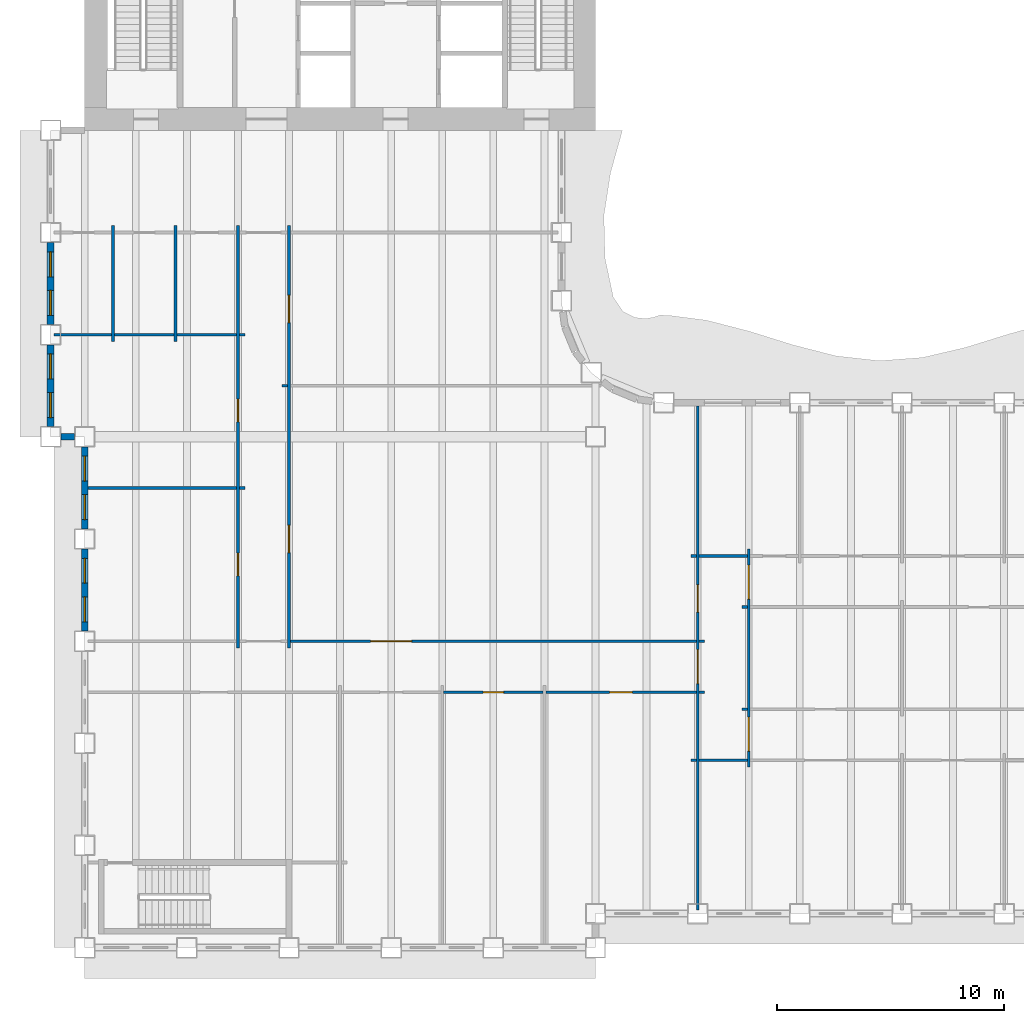
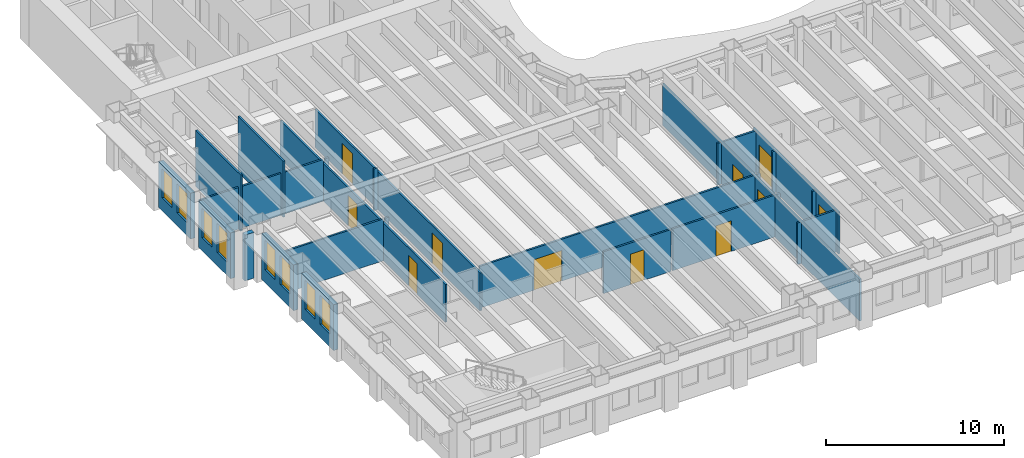
# One storey, part 4 of 16: 29 walls, 11 doors, 8 windows, 19 openings.
"""IFC4 building model written with IfcOpenShell, lengths in metres."""

from ifc_helpers import new_model, si_unit, direction, frame, frame_2d, origin, place, context, subcontext, project, spatial, rectangle, extrude, material, layer, layer_set, type_object, element, fill, save


model = new_model("IFC4")

# Units and contexts
model_context = context("Model", 3, precision=1e-05, world=origin(), true_north=direction((0.0, 1.0)))
body_context = subcontext(model_context, "Body", "Model", "MODEL_VIEW")
ifc_project = project(units=[si_unit("LENGTHUNIT", "METRE"), si_unit("AREAUNIT", "SQUARE_METRE"), si_unit("VOLUMEUNIT", "CUBIC_METRE"), si_unit("PLANEANGLEUNIT", "RADIAN"), si_unit("MASSUNIT", "GRAM", prefix="KILO")], contexts=[model_context])

# Site, building, storey
site_placement = place(None, origin())
site = spatial("IfcSite", under=ifc_project, at=site_placement, CompositionType="ELEMENT")
building_placement = place(site_placement, origin())
building = spatial("IfcBuilding", under=site, at=building_placement, Name="Sennacour Bend Tower", CompositionType="ELEMENT")
storey_placement = place(building_placement, frame((0.0, 0.0, 171.0)))
storey = spatial("IfcBuildingStorey", under=building, at=storey_placement, Name="L39", CompositionType="ELEMENT", Elevation=171.0)

# Walls
ifc_material_1 = material(Name="Plasterboard partition on steel studs", Category="steel")
ifc_layer_1 = layer(ifc_material_1, 0.1201171875, Name="Plasterboard partition on steel studs", Category="steel")
ifc_layer_set_1 = layer_set([ifc_layer_1], Name="Plasterboard partition on steel studs")
wall_type_1 = type_object("IfcWallType", Name="Partition 120", PredefinedType="PARTITIONING", material=ifc_layer_set_1)
for number, where, z_axis, x_axis, name in (
    (1, (1.25, 26.699951171875, 0.0), (0.0, 0.0, 1.0), (0.0, 1.0, 0.0), "P-L39-W004a"),
    (2, (4.0, 26.699951171875, 0.0), (0.0, 0.0, 1.0), (0.0, 1.0, 0.0), "P-L39-W006a"),
):
    element("IfcWall", number, at=place(storey_placement, frame(where, z_axis=z_axis, x_axis=x_axis)), inside=storey, type_object=wall_type_1, Name=name, PredefinedType="PARTITIONING", context=body_context, shape_type="SweptSolid", body=[
        extrude(rectangle(XDim=5.10009765625, YDim=0.1201171875, at=frame_2d((2.550048828125, 0.0))), origin(), (0.0, 0.0, 1.0), 3.85009765625),
    ])

# Wall, openings, doors
wall_1_placement = place(storey_placement, frame((6.75, 13.199951171875, 0.0), z_axis=(0.0, 0.0, 1.0), x_axis=(0.0, 1.0, 0.0)))
wall_1 = element("IfcWall", 3, at=wall_1_placement, inside=storey, type_object=wall_type_1, Name="P-L39-W010a", PredefinedType="PARTITIONING", context=body_context, shape_type="SweptSolid", body=[
    extrude(rectangle(XDim=18.60009765625, YDim=0.1201171875, at=frame_2d((9.300048828125, 0.0))), origin(), (0.0, 0.0, 1.0), 2.60009765625),
])
opening_1_placement = place(wall_1_placement, frame((3.175048828125, 0.0, 0.0)))
opening_1 = element("IfcOpeningElement", 4, at=opening_1_placement, cuts=wall_1, Name="Opening OD2", PredefinedType="OPENING", context=body_context, shape_type="SweptSolid", body=[
    extrude(rectangle(XDim=1.0, YDim=2.10009765625, at=frame_2d((0.5, 1.050048828125))), frame((0.0, 0.070068359375, 0.0), z_axis=(0.0, -1.0, 0.0), x_axis=(1.0, 0.0, 0.0)), (0.0, 0.0, 1.0), 0.14013671875),
])
opening_2_placement = place(wall_1_placement, frame((9.955078125, 0.0, 0.0)))
opening_2 = element("IfcOpeningElement", 5, at=opening_2_placement, cuts=wall_1, Name="Opening OD2", PredefinedType="OPENING", context=body_context, shape_type="SweptSolid", body=[
    extrude(rectangle(XDim=1.0, YDim=2.10009765625, at=frame_2d((0.5, 1.050048828125))), frame((0.0, 0.070068359375, 0.0), z_axis=(0.0, -1.0, 0.0), x_axis=(1.0, 0.0, 0.0)), (0.0, 0.0, 1.0), 0.14013671875),
])
ifc_material_2 = material(Name="Timber", Category="wood")
door_type_1 = type_object("IfcDoorType", Name="DR-OFFICE-1000", OperationType="NOTDEFINED", PredefinedType="DOOR", material=ifc_material_2)
door_1_placement = place(opening_1_placement, origin())
door_1 = element("IfcDoor", 6, at=door_1_placement, inside=storey, type_object=door_type_1, Name="Door", OperationType="SINGLE_SWING_LEFT", OverallHeight=2.10009765625, OverallWidth=1.0, PredefinedType="DOOR", context=body_context, shape_type="SweptSolid", body=[
    extrude(rectangle(XDim=1.0, YDim=2.10009765625, at=frame_2d((0.5, 1.050048828125))), frame((0.0, 0.02490234375, 0.0), z_axis=(0.0, -1.0, 0.0), x_axis=(1.0, 0.0, 0.0)), (0.0, 0.0, 1.0), 0.050048828125),
])
fill(opening_1, door_1)
door_2_placement = place(opening_2_placement, origin())
door_2 = element("IfcDoor", 7, at=door_2_placement, inside=storey, type_object=door_type_1, Name="Door", OperationType="SINGLE_SWING_RIGHT", OverallHeight=2.10009765625, OverallWidth=1.0, PredefinedType="DOOR", context=body_context, shape_type="SweptSolid", body=[
    extrude(rectangle(XDim=1.0, YDim=2.10009765625, at=frame_2d((0.5, 1.050048828125))), frame((0.0, 0.02490234375, 0.0), z_axis=(0.0, -1.0, 0.0), x_axis=(1.0, 0.0, 0.0)), (0.0, 0.0, 1.0), 0.050048828125),
])
fill(opening_2, door_2)

wall_2_placement = place(storey_placement, frame((9.0, 13.199951171875, 0.0), z_axis=(0.0, 0.0, 1.0), x_axis=(0.0, 1.0, 0.0)))
wall_2 = element("IfcWall", 8, at=wall_2_placement, inside=storey, type_object=wall_type_1, Name="P-L39-W012a", PredefinedType="PARTITIONING", context=body_context, shape_type="SweptSolid", body=[
    extrude(rectangle(XDim=18.60009765625, YDim=0.1201171875, at=frame_2d((9.300048828125, 0.0))), origin(), (0.0, 0.0, 1.0), 2.60009765625),
])
opening_3_placement = place(wall_2_placement, frame((14.324951171875, 0.0, 0.0)))
opening_3 = element("IfcOpeningElement", 9, at=opening_3_placement, cuts=wall_2, Name="Opening MD", PredefinedType="OPENING", context=body_context, shape_type="SweptSolid", body=[
    extrude(rectangle(XDim=1.199951171875, YDim=2.10009765625, at=frame_2d((0.60009765625, 1.050048828125))), frame((0.0, 0.070068359375, 0.0), z_axis=(0.0, -1.0, 0.0), x_axis=(1.0, 0.0, 0.0)), (0.0, 0.0, 1.0), 0.14013671875),
])
opening_4_placement = place(wall_2_placement, frame((4.199951171875, 0.0, 0.0)))
opening_4 = element("IfcOpeningElement", 10, at=opening_4_placement, cuts=wall_2, Name="Opening OD", PredefinedType="OPENING", context=body_context, shape_type="SweptSolid", body=[
    extrude(rectangle(XDim=1.199951171875, YDim=2.10009765625, at=frame_2d((0.60009765625, 1.050048828125))), frame((0.0, 0.070068359375, 0.0), z_axis=(0.0, -1.0, 0.0), x_axis=(1.0, 0.0, 0.0)), (0.0, 0.0, 1.0), 0.14013671875),
])
door_type_2 = type_object("IfcDoorType", Name="DR-MEETING-1200", OperationType="NOTDEFINED", PredefinedType="DOOR", material=ifc_material_2)
door_3_placement = place(opening_3_placement, origin())
door_3 = element("IfcDoor", 11, at=door_3_placement, inside=storey, type_object=door_type_2, Name="Door", OperationType="SINGLE_SWING_RIGHT", OverallHeight=2.10009765625, OverallWidth=1.199951171875, PredefinedType="DOOR", context=body_context, shape_type="SweptSolid", body=[
    extrude(rectangle(XDim=1.199951171875, YDim=2.10009765625, at=frame_2d((0.60009765625, 1.050048828125))), frame((0.0, 0.02490234375, 0.0), z_axis=(0.0, -1.0, 0.0), x_axis=(1.0, 0.0, 0.0)), (0.0, 0.0, 1.0), 0.050048828125),
])
fill(opening_3, door_3)
door_type_3 = type_object("IfcDoorType", Name="DR-OFFICE-1200", OperationType="NOTDEFINED", PredefinedType="DOOR", material=ifc_material_2)
door_4_placement = place(opening_4_placement, origin())
door_4 = element("IfcDoor", 12, at=door_4_placement, inside=storey, type_object=door_type_3, Name="Door", OperationType="SINGLE_SWING_LEFT", OverallHeight=2.10009765625, OverallWidth=1.199951171875, PredefinedType="DOOR", context=body_context, shape_type="SweptSolid", body=[
    extrude(rectangle(XDim=1.199951171875, YDim=2.10009765625, at=frame_2d((0.60009765625, 1.050048828125))), frame((0.0, 0.02490234375, 0.0), z_axis=(0.0, -1.0, 0.0), x_axis=(1.0, 0.0, 0.0)), (0.0, 0.0, 1.0), 0.050048828125),
])
fill(opening_4, door_4)

# Walls
wall_3_placement = place(storey_placement, frame((26.699951171875, 8.25, 0.0), z_axis=(0.0, 0.0, 1.0), x_axis=(1.0, 0.0, 0.0)))
element("IfcWall", 13, at=wall_3_placement, inside=storey, type_object=wall_type_1, Name="P-L39-W060aa", PredefinedType="PARTITIONING", context=body_context, shape_type="SweptSolid", body=[
    extrude(rectangle(XDim=0.239990234375, YDim=0.1201171875, at=frame_2d((0.1201171875, 0.0))), origin(), (0.0, 0.0, 1.0), 2.8701171875),
])
wall_4_placement = place(storey_placement, frame((27.06005859375, 8.25, 0.0), z_axis=(0.0, 0.0, 1.0), x_axis=(1.0, 0.0, 0.0)))
element("IfcWall", 14, at=wall_4_placement, inside=storey, type_object=wall_type_1, Name="P-L39-W060ab", PredefinedType="PARTITIONING", context=body_context, shape_type="SweptSolid", body=[
    extrude(rectangle(XDim=2.1298828125, YDim=0.1201171875, at=frame_2d((1.06494140625, 0.0))), origin(), (0.0, 0.0, 1.0), 2.8701171875),
])
wall_5_placement = place(storey_placement, frame((28.949951171875, 10.5, 0.0), z_axis=(0.0, 0.0, 1.0), x_axis=(1.0, 0.0, 0.0)))
element("IfcWall", 15, at=wall_5_placement, inside=storey, type_object=wall_type_1, Name="P-L39-W063aa", PredefinedType="PARTITIONING", context=body_context, shape_type="SweptSolid", body=[
    extrude(rectangle(XDim=0.239990234375, YDim=0.1201171875, at=frame_2d((0.1201171875, 0.0))), origin(), (0.0, 0.0, 1.0), 2.8701171875),
])

# Wall, opening, door
wall_6_placement = place(storey_placement, frame((20.31005859375, 11.25, 0.0), z_axis=(0.0, 0.0, 1.0), x_axis=(1.0, 0.0, 0.0)))
wall_6 = element("IfcWall", 16, at=wall_6_placement, inside=storey, type_object=wall_type_1, Name="P-L39-W064ad", PredefinedType="PARTITIONING", context=body_context, shape_type="SweptSolid", body=[
    extrude(rectangle(XDim=6.6298828125, YDim=0.1201171875, at=frame_2d((3.31494140625, 0.0))), origin(), (0.0, 0.0, 1.0), 2.8701171875),
])
opening_5_placement = place(wall_6_placement, frame((2.81494140625, 0.0, 0.0)))
opening_5 = element("IfcOpeningElement", 17, at=opening_5_placement, cuts=wall_6, Name="Opening MD2", PredefinedType="OPENING", context=body_context, shape_type="SweptSolid", body=[
    extrude(rectangle(XDim=1.0, YDim=2.10009765625, at=frame_2d((0.5, 1.050048828125))), frame((0.0, 0.070068359375, 0.0), z_axis=(0.0, -1.0, 0.0), x_axis=(1.0, 0.0, 0.0)), (0.0, 0.0, 1.0), 0.14013671875),
])
door_type_4 = type_object("IfcDoorType", Name="DR-MEETING-1000", OperationType="NOTDEFINED", PredefinedType="DOOR", material=ifc_material_2)
door_5_placement = place(opening_5_placement, origin())
door_5 = element("IfcDoor", 18, at=door_5_placement, inside=storey, type_object=door_type_4, Name="Door", OperationType="SINGLE_SWING_LEFT", OverallHeight=2.10009765625, OverallWidth=1.0, PredefinedType="DOOR", context=body_context, shape_type="SweptSolid", body=[
    extrude(rectangle(XDim=1.0, YDim=2.10009765625, at=frame_2d((0.5, 1.050048828125))), frame((0.0, 0.02490234375, 0.0), z_axis=(0.0, -1.0, 0.0), x_axis=(1.0, 0.0, 0.0)), (0.0, 0.0, 1.0), 0.050048828125),
])
fill(opening_5, door_5)

# Wall
wall_7_placement = place(storey_placement, frame((27.06005859375, 11.25, 0.0), z_axis=(0.0, 0.0, 1.0), x_axis=(1.0, 0.0, 0.0)))
element("IfcWall", 19, at=wall_7_placement, inside=storey, type_object=wall_type_1, Name="P-L39-W064ae", PredefinedType="PARTITIONING", context=body_context, shape_type="SweptSolid", body=[
    extrude(rectangle(XDim=0.239990234375, YDim=0.1201171875, at=frame_2d((0.1201171875, 0.0))), origin(), (0.0, 0.0, 1.0), 2.8701171875),
])

# Wall, opening, door
wall_8_placement = place(storey_placement, frame((9.06005859375, 13.5, 0.0), z_axis=(0.0, 0.0, 1.0), x_axis=(1.0, 0.0, 0.0)))
wall_8 = element("IfcWall", 20, at=wall_8_placement, inside=storey, type_object=wall_type_1, Name="P-L39-W068ac", PredefinedType="PARTITIONING", context=body_context, shape_type="SweptSolid", body=[
    extrude(rectangle(XDim=17.8798828125, YDim=0.1201171875, at=frame_2d((8.93994140625, 0.0))), origin(), (0.0, 0.0, 1.0), 2.8701171875),
])
opening_6_placement = place(wall_8_placement, frame((3.539794921875, 0.0, 0.0)))
opening_6 = element("IfcOpeningElement", 21, at=opening_6_placement, cuts=wall_8, Name="Opening OD3", PredefinedType="OPENING", context=body_context, shape_type="SweptSolid", body=[
    extrude(rectangle(XDim=1.800048828125, YDim=2.10009765625, at=frame_2d((0.89990234375, 1.050048828125))), frame((0.0, 0.070068359375, 0.0), z_axis=(0.0, -1.0, 0.0), x_axis=(1.0, 0.0, 0.0)), (0.0, 0.0, 1.0), 0.14013671875),
])
door_type_5 = type_object("IfcDoorType", Name="DR-OFFICE-1800", OperationType="NOTDEFINED", PredefinedType="DOOR", material=ifc_material_2)
door_6_placement = place(opening_6_placement, origin())
door_6 = element("IfcDoor", 22, at=door_6_placement, inside=storey, type_object=door_type_5, Name="Door", OperationType="DOUBLE_DOOR_SINGLE_SWING", OverallHeight=2.10009765625, OverallWidth=1.800048828125, PredefinedType="DOOR", context=body_context, shape_type="SweptSolid", body=[
    extrude(rectangle(XDim=1.800048828125, YDim=2.10009765625, at=frame_2d((0.89990234375, 1.050048828125))), frame((0.0, 0.02490234375, 0.0), z_axis=(0.0, -1.0, 0.0), x_axis=(1.0, 0.0, 0.0)), (0.0, 0.0, 1.0), 0.050048828125),
])
fill(opening_6, door_6)

# Walls
for number, where, z_axis, x_axis, name in (
    (23, (27.06005859375, 13.5, 0.0), (0.0, 0.0, 1.0), (1.0, 0.0, 0.0), "P-L39-W068ad"),
    (24, (28.949951171875, 15.0, 0.0), (0.0, 0.0, 1.0), (1.0, 0.0, 0.0), "P-L39-W070aa"),
    (25, (26.699951171875, 17.25, 0.0), (0.0, 0.0, 1.0), (1.0, 0.0, 0.0), "P-L39-W073aa"),
):
    element("IfcWall", number, at=place(storey_placement, frame(where, z_axis=z_axis, x_axis=x_axis)), inside=storey, type_object=wall_type_1, Name=name, PredefinedType="PARTITIONING", context=body_context, shape_type="SweptSolid", body=[
        extrude(rectangle(XDim=0.239990234375, YDim=0.1201171875, at=frame_2d((0.1201171875, 0.0))), origin(), (0.0, 0.0, 1.0), 2.8701171875),
    ])
wall_9_placement = place(storey_placement, frame((27.06005859375, 17.25, 0.0), z_axis=(0.0, 0.0, 1.0), x_axis=(1.0, 0.0, 0.0)))
element("IfcWall", 26, at=wall_9_placement, inside=storey, type_object=wall_type_1, Name="P-L39-W073ab", PredefinedType="PARTITIONING", context=body_context, shape_type="SweptSolid", body=[
    extrude(rectangle(XDim=2.1298828125, YDim=0.1201171875, at=frame_2d((1.06494140625, 0.0))), origin(), (0.0, 0.0, 1.0), 2.8701171875),
])
wall_10_placement = place(storey_placement, frame((0.14990234375, 20.25, 0.0), z_axis=(0.0, 0.0, 1.0), x_axis=(1.0, 0.0, 0.0)))
element("IfcWall", 27, at=wall_10_placement, inside=storey, type_object=wall_type_1, Name="P-L39-W078aa", PredefinedType="PARTITIONING", context=body_context, shape_type="SweptSolid", body=[
    extrude(rectangle(XDim=6.5400390625, YDim=0.1201171875, at=frame_2d((3.27001953125, 0.0))), origin(), (0.0, 0.0, 1.0), 2.8701171875),
])
for number, where, z_axis, x_axis, name in (
    (28, (6.81005859375, 20.25, 0.0), (0.0, 0.0, 1.0), (1.0, 0.0, 0.0), "P-L39-W078ab"),
    (29, (8.699951171875, 24.75, 0.0), (0.0, 0.0, 1.0), (1.0, 0.0, 0.0), "P-L39-W080aa"),
):
    element("IfcWall", number, at=place(storey_placement, frame(where, z_axis=z_axis, x_axis=x_axis)), inside=storey, type_object=wall_type_1, Name=name, PredefinedType="PARTITIONING", context=body_context, shape_type="SweptSolid", body=[
        extrude(rectangle(XDim=0.239990234375, YDim=0.1201171875, at=frame_2d((0.1201171875, 0.0))), origin(), (0.0, 0.0, 1.0), 2.8701171875),
    ])
wall_11_placement = place(storey_placement, frame((-1.35009765625, 27.0, 0.0), z_axis=(0.0, 0.0, 1.0), x_axis=(1.0, 0.0, 0.0)))
element("IfcWall", 30, at=wall_11_placement, inside=storey, type_object=wall_type_1, Name="P-L39-W081aa", PredefinedType="PARTITIONING", context=body_context, shape_type="SweptSolid", body=[
    extrude(rectangle(XDim=2.5400390625, YDim=0.1201171875, at=frame_2d((1.27001953125, 0.0))), origin(), (0.0, 0.0, 1.0), 2.8701171875),
])
for number, where, z_axis, x_axis, name in (
    (31, (1.31005859375, 27.0, 0.0), (0.0, 0.0, 1.0), (1.0, 0.0, 0.0), "P-L39-W081ab"),
    (32, (4.06005859375, 27.0, 0.0), (0.0, 0.0, 1.0), (1.0, 0.0, 0.0), "P-L39-W081ac"),
):
    element("IfcWall", number, at=place(storey_placement, frame(where, z_axis=z_axis, x_axis=x_axis)), inside=storey, type_object=wall_type_1, Name=name, PredefinedType="PARTITIONING", context=body_context, shape_type="SweptSolid", body=[
        extrude(rectangle(XDim=2.6298828125, YDim=0.1201171875, at=frame_2d((1.31494140625, 0.0))), origin(), (0.0, 0.0, 1.0), 2.8701171875),
    ])
wall_12_placement = place(storey_placement, frame((6.81005859375, 27.0, 0.0), z_axis=(0.0, 0.0, 1.0), x_axis=(1.0, 0.0, 0.0)))
element("IfcWall", 33, at=wall_12_placement, inside=storey, type_object=wall_type_1, Name="P-L39-W081ad", PredefinedType="PARTITIONING", context=body_context, shape_type="SweptSolid", body=[
    extrude(rectangle(XDim=0.239990234375, YDim=0.1201171875, at=frame_2d((0.1201171875, 0.0))), origin(), (0.0, 0.0, 1.0), 2.8701171875),
])

# Wall, openings, doors
ifc_layer_2 = layer(ifc_material_1, 0.1201171875, Name="Plasterboard partition on steel studs", Category="steel")
ifc_layer_set_2 = layer_set([ifc_layer_2], Name="Plasterboard partition on steel studs")
wall_type_2 = type_object("IfcWallType", Name="Partition 120 EI 30", PredefinedType="PARTITIONING", material=ifc_layer_set_2)
wall_13_placement = place(storey_placement, frame((27.0, 1.64990234375, 0.0), z_axis=(0.0, 0.0, 1.0), x_axis=(0.0, 1.0, 0.0)))
wall_13 = element("IfcWall", 34, at=wall_13_placement, inside=storey, type_object=wall_type_2, Name="P-L39-W027a", PredefinedType="PARTITIONING", context=body_context, shape_type="SweptSolid", body=[
    extrude(rectangle(XDim=22.2001953125, YDim=0.1201171875, at=frame_2d((11.10009765625, 0.0))), origin(), (0.0, 0.0, 1.0), 2.8701171875),
])
opening_7_placement = place(wall_13_placement, frame((9.97509765625, 0.0, 0.0)))
opening_7 = element("IfcOpeningElement", 35, at=opening_7_placement, cuts=wall_13, Name="Opening KD", PredefinedType="OPENING", context=body_context, shape_type="SweptSolid", body=[
    extrude(rectangle(XDim=1.5, YDim=2.10009765625, at=frame_2d((0.75, 1.050048828125))), frame((0.0, 0.070068359375, 0.0), z_axis=(0.0, -1.0, 0.0), x_axis=(1.0, 0.0, 0.0)), (0.0, 0.0, 1.0), 0.14013671875),
])
opening_8_placement = place(wall_13_placement, frame((13.125, 0.0, 0.0)))
opening_8 = element("IfcOpeningElement", 36, at=opening_8_placement, cuts=wall_13, Name="Opening OD", PredefinedType="OPENING", context=body_context, shape_type="SweptSolid", body=[
    extrude(rectangle(XDim=1.199951171875, YDim=2.10009765625, at=frame_2d((0.60009765625, 1.050048828125))), frame((0.0, 0.070068359375, 0.0), z_axis=(0.0, -1.0, 0.0), x_axis=(1.0, 0.0, 0.0)), (0.0, 0.0, 1.0), 0.14013671875),
])
ifc_material_3 = material(Name="Painted steel", Category="steel")
door_type_6 = type_object("IfcDoorType", Name="DR-CORRIDOR-1500", OperationType="NOTDEFINED", PredefinedType="DOOR", material=ifc_material_3)
door_7_placement = place(opening_7_placement, origin())
door_7 = element("IfcDoor", 37, at=door_7_placement, inside=storey, type_object=door_type_6, Name="Door", OperationType="SINGLE_SWING_LEFT", OverallHeight=2.10009765625, OverallWidth=1.5, PredefinedType="DOOR", context=body_context, shape_type="SweptSolid", body=[
    extrude(rectangle(XDim=1.5, YDim=2.10009765625, at=frame_2d((0.75, 1.050048828125))), frame((0.0, 0.02490234375, 0.0), z_axis=(0.0, -1.0, 0.0), x_axis=(1.0, 0.0, 0.0)), (0.0, 0.0, 1.0), 0.050048828125),
])
fill(opening_7, door_7)
door_8_placement = place(opening_8_placement, origin())
door_8 = element("IfcDoor", 38, at=door_8_placement, inside=storey, type_object=door_type_3, Name="Door", OperationType="SINGLE_SWING_RIGHT", OverallHeight=2.10009765625, OverallWidth=1.199951171875, PredefinedType="DOOR", context=body_context, shape_type="SweptSolid", body=[
    extrude(rectangle(XDim=1.199951171875, YDim=2.10009765625, at=frame_2d((0.60009765625, 1.050048828125))), frame((0.0, 0.02490234375, 0.0), z_axis=(0.0, -1.0, 0.0), x_axis=(1.0, 0.0, 0.0)), (0.0, 0.0, 1.0), 0.050048828125),
])
fill(opening_8, door_8)

wall_14_placement = place(storey_placement, frame((29.25, 7.949951171875, 0.0), z_axis=(0.0, 0.0, 1.0), x_axis=(0.0, 1.0, 0.0)))
wall_14 = element("IfcWall", 39, at=wall_14_placement, inside=storey, type_object=wall_type_2, Name="P-L39-W028a", PredefinedType="PARTITIONING", context=body_context, shape_type="SweptSolid", body=[
    extrude(rectangle(XDim=9.60009765625, YDim=0.1201171875, at=frame_2d((4.800048828125, 0.0))), origin(), (0.0, 0.0, 1.0), 2.8701171875),
])
opening_9_placement = place(wall_14_placement, frame((0.705078125, 0.0, 0.0)))
opening_9 = element("IfcOpeningElement", 40, at=opening_9_placement, cuts=wall_14, Name="Opening KD", PredefinedType="OPENING", context=body_context, shape_type="SweptSolid", body=[
    extrude(rectangle(XDim=1.5, YDim=2.10009765625, at=frame_2d((0.75, 1.050048828125))), frame((0.0, 0.070068359375, 0.0), z_axis=(0.0, -1.0, 0.0), x_axis=(1.0, 0.0, 0.0)), (0.0, 0.0, 1.0), 0.14013671875),
])
opening_10_placement = place(wall_14_placement, frame((7.39501953125, 0.0, 0.0)))
opening_10 = element("IfcOpeningElement", 41, at=opening_10_placement, cuts=wall_14, Name="Opening KD", PredefinedType="OPENING", context=body_context, shape_type="SweptSolid", body=[
    extrude(rectangle(XDim=1.5, YDim=2.10009765625, at=frame_2d((0.75, 1.050048828125))), frame((0.0, 0.070068359375, 0.0), z_axis=(0.0, -1.0, 0.0), x_axis=(1.0, 0.0, 0.0)), (0.0, 0.0, 1.0), 0.14013671875),
])
door_9_placement = place(opening_9_placement, origin())
door_9 = element("IfcDoor", 42, at=door_9_placement, inside=storey, type_object=door_type_6, Name="Door", OperationType="SINGLE_SWING_LEFT", OverallHeight=2.10009765625, OverallWidth=1.5, PredefinedType="DOOR", context=body_context, shape_type="SweptSolid", body=[
    extrude(rectangle(XDim=1.5, YDim=2.10009765625, at=frame_2d((0.75, 1.050048828125))), frame((0.0, 0.02490234375, 0.0), z_axis=(0.0, -1.0, 0.0), x_axis=(1.0, 0.0, 0.0)), (0.0, 0.0, 1.0), 0.050048828125),
])
fill(opening_9, door_9)
door_10_placement = place(opening_10_placement, origin())
door_10 = element("IfcDoor", 43, at=door_10_placement, inside=storey, type_object=door_type_6, Name="Door", OperationType="SINGLE_SWING_RIGHT", OverallHeight=2.10009765625, OverallWidth=1.5, PredefinedType="DOOR", context=body_context, shape_type="SweptSolid", body=[
    extrude(rectangle(XDim=1.5, YDim=2.10009765625, at=frame_2d((0.75, 1.050048828125))), frame((0.0, 0.02490234375, 0.0), z_axis=(0.0, -1.0, 0.0), x_axis=(1.0, 0.0, 0.0)), (0.0, 0.0, 1.0), 0.050048828125),
])
fill(opening_10, door_10)

# Wall, opening, door
ifc_layer_3 = layer(ifc_material_1, 0.1201171875, Name="Plasterboard partition on steel studs", Category="steel")
ifc_layer_set_3 = layer_set([ifc_layer_3], Name="Plasterboard partition on steel studs")
wall_type_3 = type_object("IfcWallType", Name="Partition 120 EI 60", PredefinedType="PARTITIONING", material=ifc_layer_set_3)
wall_15_placement = place(storey_placement, frame((15.81005859375, 11.25, 0.0), z_axis=(0.0, 0.0, 1.0), x_axis=(1.0, 0.0, 0.0)))
wall_15 = element("IfcWall", 44, at=wall_15_placement, inside=storey, type_object=wall_type_3, Name="P-L39-W064ac", PredefinedType="PARTITIONING", context=body_context, shape_type="SweptSolid", body=[
    extrude(rectangle(XDim=4.3798828125, YDim=0.1201171875, at=frame_2d((2.18994140625, 0.0))), origin(), (0.0, 0.0, 1.0), 2.8701171875),
])
opening_11_placement = place(wall_15_placement, frame((1.739990234375, 0.0, 0.0)))
opening_11 = element("IfcOpeningElement", 45, at=opening_11_placement, cuts=wall_15, Name="Opening SV", PredefinedType="OPENING", context=body_context, shape_type="SweptSolid", body=[
    extrude(rectangle(XDim=0.89990234375, YDim=2.10009765625, at=frame_2d((0.449951171875, 1.050048828125))), frame((0.0, 0.070068359375, 0.0), z_axis=(0.0, -1.0, 0.0), x_axis=(1.0, 0.0, 0.0)), (0.0, 0.0, 1.0), 0.14013671875),
])
door_type_7 = type_object("IfcDoorType", Name="DR-SERVICE-900", OperationType="NOTDEFINED", PredefinedType="DOOR", material=ifc_material_3)
door_11_placement = place(opening_11_placement, origin())
door_11 = element("IfcDoor", 46, at=door_11_placement, inside=storey, type_object=door_type_7, Name="Door", OperationType="SINGLE_SWING_LEFT", OverallHeight=2.10009765625, OverallWidth=0.89990234375, PredefinedType="DOOR", context=body_context, shape_type="SweptSolid", body=[
    extrude(rectangle(XDim=0.89990234375, YDim=2.10009765625, at=frame_2d((0.449951171875, 1.050048828125))), frame((0.0, 0.02490234375, 0.0), z_axis=(0.0, -1.0, 0.0), x_axis=(1.0, 0.0, 0.0)), (0.0, 0.0, 1.0), 0.050048828125),
])
fill(opening_11, door_11)

# Wall, openings, windows
ifc_material_4 = material(Name="Warm limestone cladding", Category="masonry")
ifc_layer_4 = layer(ifc_material_4, 0.050048828125, Name="Warm limestone cladding", Category="masonry")
ifc_material_5 = material(Name="Precast concrete C40/50", Category="concrete")
ifc_layer_5 = layer(ifc_material_5, 0.25, Name="Precast concrete C40/50", Category="concrete")
ifc_layer_set_4 = layer_set([ifc_layer_4, ifc_layer_5], Name="Precast concrete C40/50 with limestone cladding")
wall_type_4 = type_object("IfcWallType", Name="STONE-CLAD PRECAST SPANDREL 300", PredefinedType="STANDARD", material=ifc_layer_set_4)
wall_16_placement = place(storey_placement, frame((-1.5, 31.050048828125, 0.0), z_axis=(0.0, 0.0, 1.0), x_axis=(0.0, -1.0, 0.0)))
wall_16 = element("IfcWall", 47, at=wall_16_placement, inside=storey, type_object=wall_type_4, Name="Stone spandrel and pier wall L39 21.01", PredefinedType="STANDARD", context=body_context, shape_type="SweptSolid", body=[
    extrude(rectangle(XDim=3.60009765625, YDim=0.300048828125, at=frame_2d((1.800048828125, 0.0))), origin(), (0.0, 0.0, 1.0), 3.14892578125),
])
opening_12_placement = place(wall_16_placement, frame((0.39990234375, 0.0, 0.89990234375)))
opening_12 = element("IfcOpeningElement", 48, at=opening_12_placement, cuts=wall_16, Name="Opening W19", PredefinedType="OPENING", context=body_context, shape_type="SweptSolid", body=[
    extrude(rectangle(XDim=1.10009765625, YDim=2.0, at=frame_2d((0.550048828125, 1.0))), frame((0.0, 0.16015625, 0.0), z_axis=(0.0, -1.0, 0.0), x_axis=(1.0, 0.0, 0.0)), (0.0, 0.0, 1.0), 0.320068359375),
])
opening_13_placement = place(wall_16_placement, frame((2.10009765625, 0.0, 0.89990234375)))
opening_13 = element("IfcOpeningElement", 49, at=opening_13_placement, cuts=wall_16, Name="Opening W19", PredefinedType="OPENING", context=body_context, shape_type="SweptSolid", body=[
    extrude(rectangle(XDim=1.10009765625, YDim=2.0, at=frame_2d((0.550048828125, 1.0))), frame((0.0, 0.16015625, 0.0), z_axis=(0.0, -1.0, 0.0), x_axis=(1.0, 0.0, 0.0)), (0.0, 0.0, 1.0), 0.320068359375),
])
ifc_material_6 = material(Name="Clear low-emissivity glass", Category="glass")
window_type = type_object("IfcWindowType", Name="WIN-RIBBON-1100x2000", PartitioningType="SINGLE_PANEL", PredefinedType="WINDOW", material=ifc_material_6)
window_1_placement = place(opening_12_placement, origin())
window_1 = element("IfcWindow", 50, at=window_1_placement, inside=storey, type_object=window_type, Name="Ribbon window L39 21.01.0", OverallHeight=2.0, OverallWidth=1.10009765625, PartitioningType="SINGLE_PANEL", PredefinedType="WINDOW", context=body_context, shape_type="SweptSolid", body=[
    extrude(rectangle(XDim=1.10009765625, YDim=2.0, at=frame_2d((0.550048828125, 1.0))), frame((0.0, 0.030029296875, 0.0), z_axis=(0.0, -1.0, 0.0), x_axis=(1.0, 0.0, 0.0)), (0.0, 0.0, 1.0), 0.06005859375),
])
fill(opening_12, window_1)
window_2_placement = place(opening_13_placement, origin())
window_2 = element("IfcWindow", 51, at=window_2_placement, inside=storey, type_object=window_type, Name="Ribbon window L39 21.01.1", OverallHeight=2.0, OverallWidth=1.10009765625, PartitioningType="SINGLE_PANEL", PredefinedType="WINDOW", context=body_context, shape_type="SweptSolid", body=[
    extrude(rectangle(XDim=1.10009765625, YDim=2.0, at=frame_2d((0.550048828125, 1.0))), frame((0.0, 0.030029296875, 0.0), z_axis=(0.0, -1.0, 0.0), x_axis=(1.0, 0.0, 0.0)), (0.0, 0.0, 1.0), 0.06005859375),
])
fill(opening_13, window_2)

wall_17_placement = place(storey_placement, frame((-1.5, 26.550048828125, 0.0), z_axis=(0.0, 0.0, 1.0), x_axis=(0.0, -1.0, 0.0)))
wall_17 = element("IfcWall", 52, at=wall_17_placement, inside=storey, type_object=wall_type_4, Name="Stone spandrel and pier wall L39 21.02", PredefinedType="STANDARD", context=body_context, shape_type="SweptSolid", body=[
    extrude(rectangle(XDim=3.60009765625, YDim=0.300048828125, at=frame_2d((1.800048828125, 0.0))), origin(), (0.0, 0.0, 1.0), 3.14892578125),
])
opening_14_placement = place(wall_17_placement, frame((0.39990234375, 0.0, 0.89990234375)))
opening_14 = element("IfcOpeningElement", 53, at=opening_14_placement, cuts=wall_17, Name="Opening W19", PredefinedType="OPENING", context=body_context, shape_type="SweptSolid", body=[
    extrude(rectangle(XDim=1.10009765625, YDim=2.0, at=frame_2d((0.550048828125, 1.0))), frame((0.0, 0.16015625, 0.0), z_axis=(0.0, -1.0, 0.0), x_axis=(1.0, 0.0, 0.0)), (0.0, 0.0, 1.0), 0.320068359375),
])
opening_15_placement = place(wall_17_placement, frame((2.10009765625, 0.0, 0.89990234375)))
opening_15 = element("IfcOpeningElement", 54, at=opening_15_placement, cuts=wall_17, Name="Opening W19", PredefinedType="OPENING", context=body_context, shape_type="SweptSolid", body=[
    extrude(rectangle(XDim=1.10009765625, YDim=2.0, at=frame_2d((0.550048828125, 1.0))), frame((0.0, 0.16015625, 0.0), z_axis=(0.0, -1.0, 0.0), x_axis=(1.0, 0.0, 0.0)), (0.0, 0.0, 1.0), 0.320068359375),
])
window_3_placement = place(opening_14_placement, origin())
window_3 = element("IfcWindow", 55, at=window_3_placement, inside=storey, type_object=window_type, Name="Ribbon window L39 21.02.0", OverallHeight=2.0, OverallWidth=1.10009765625, PartitioningType="SINGLE_PANEL", PredefinedType="WINDOW", context=body_context, shape_type="SweptSolid", body=[
    extrude(rectangle(XDim=1.10009765625, YDim=2.0, at=frame_2d((0.550048828125, 1.0))), frame((0.0, 0.030029296875, 0.0), z_axis=(0.0, -1.0, 0.0), x_axis=(1.0, 0.0, 0.0)), (0.0, 0.0, 1.0), 0.06005859375),
])
fill(opening_14, window_3)
window_4_placement = place(opening_15_placement, origin())
window_4 = element("IfcWindow", 56, at=window_4_placement, inside=storey, type_object=window_type, Name="Ribbon window L39 21.02.1", OverallHeight=2.0, OverallWidth=1.10009765625, PartitioningType="SINGLE_PANEL", PredefinedType="WINDOW", context=body_context, shape_type="SweptSolid", body=[
    extrude(rectangle(XDim=1.10009765625, YDim=2.0, at=frame_2d((0.550048828125, 1.0))), frame((0.0, 0.030029296875, 0.0), z_axis=(0.0, -1.0, 0.0), x_axis=(1.0, 0.0, 0.0)), (0.0, 0.0, 1.0), 0.06005859375),
])
fill(opening_15, window_4)

# Wall
wall_18_placement = place(storey_placement, frame((-1.050048828125, 22.5, 0.0), z_axis=(0.0, 0.0, 1.0), x_axis=(1.0, 0.0, 0.0)))
element("IfcWall", 57, at=wall_18_placement, inside=storey, type_object=wall_type_4, Name="Stone spandrel and pier wall L39 22.00", PredefinedType="STANDARD", context=body_context, shape_type="SweptSolid", body=[
    extrude(rectangle(XDim=0.60009765625, YDim=0.300048828125, at=frame_2d((0.300048828125, 0.0))), origin(), (0.0, 0.0, 1.0), 3.14892578125),
])

# Wall, openings, windows
wall_19_placement = place(storey_placement, frame((0.0, 22.050048828125, 0.0), z_axis=(0.0, 0.0, 1.0), x_axis=(0.0, -1.0, 0.0)))
wall_19 = element("IfcWall", 58, at=wall_19_placement, inside=storey, type_object=wall_type_4, Name="Stone spandrel and pier wall L39 23.00", PredefinedType="STANDARD", context=body_context, shape_type="SweptSolid", body=[
    extrude(rectangle(XDim=3.60009765625, YDim=0.300048828125, at=frame_2d((1.800048828125, 0.0))), origin(), (0.0, 0.0, 1.0), 3.14892578125),
])
opening_16_placement = place(wall_19_placement, frame((0.39990234375, 0.0, 0.89990234375)))
opening_16 = element("IfcOpeningElement", 59, at=opening_16_placement, cuts=wall_19, Name="Opening W19", PredefinedType="OPENING", context=body_context, shape_type="SweptSolid", body=[
    extrude(rectangle(XDim=1.10009765625, YDim=2.0, at=frame_2d((0.550048828125, 1.0))), frame((0.0, 0.16015625, 0.0), z_axis=(0.0, -1.0, 0.0), x_axis=(1.0, 0.0, 0.0)), (0.0, 0.0, 1.0), 0.320068359375),
])
opening_17_placement = place(wall_19_placement, frame((2.10009765625, 0.0, 0.89990234375)))
opening_17 = element("IfcOpeningElement", 60, at=opening_17_placement, cuts=wall_19, Name="Opening W19", PredefinedType="OPENING", context=body_context, shape_type="SweptSolid", body=[
    extrude(rectangle(XDim=1.10009765625, YDim=2.0, at=frame_2d((0.550048828125, 1.0))), frame((0.0, 0.16015625, 0.0), z_axis=(0.0, -1.0, 0.0), x_axis=(1.0, 0.0, 0.0)), (0.0, 0.0, 1.0), 0.320068359375),
])
window_5_placement = place(opening_16_placement, origin())
window_5 = element("IfcWindow", 61, at=window_5_placement, inside=storey, type_object=window_type, Name="Ribbon window L39 23.00.0", OverallHeight=2.0, OverallWidth=1.10009765625, PartitioningType="SINGLE_PANEL", PredefinedType="WINDOW", context=body_context, shape_type="SweptSolid", body=[
    extrude(rectangle(XDim=1.10009765625, YDim=2.0, at=frame_2d((0.550048828125, 1.0))), frame((0.0, 0.030029296875, 0.0), z_axis=(0.0, -1.0, 0.0), x_axis=(1.0, 0.0, 0.0)), (0.0, 0.0, 1.0), 0.06005859375),
])
fill(opening_16, window_5)
window_6_placement = place(opening_17_placement, origin())
window_6 = element("IfcWindow", 62, at=window_6_placement, inside=storey, type_object=window_type, Name="Ribbon window L39 23.00.1", OverallHeight=2.0, OverallWidth=1.10009765625, PartitioningType="SINGLE_PANEL", PredefinedType="WINDOW", context=body_context, shape_type="SweptSolid", body=[
    extrude(rectangle(XDim=1.10009765625, YDim=2.0, at=frame_2d((0.550048828125, 1.0))), frame((0.0, 0.030029296875, 0.0), z_axis=(0.0, -1.0, 0.0), x_axis=(1.0, 0.0, 0.0)), (0.0, 0.0, 1.0), 0.06005859375),
])
fill(opening_17, window_6)

wall_20_placement = place(storey_placement, frame((0.0, 17.550048828125, 0.0), z_axis=(0.0, 0.0, 1.0), x_axis=(0.0, -1.0, 0.0)))
wall_20 = element("IfcWall", 63, at=wall_20_placement, inside=storey, type_object=wall_type_4, Name="Stone spandrel and pier wall L39 23.01", PredefinedType="STANDARD", context=body_context, shape_type="SweptSolid", body=[
    extrude(rectangle(XDim=3.60009765625, YDim=0.300048828125, at=frame_2d((1.800048828125, 0.0))), origin(), (0.0, 0.0, 1.0), 3.14892578125),
])
opening_18_placement = place(wall_20_placement, frame((0.39990234375, 0.0, 0.89990234375)))
opening_18 = element("IfcOpeningElement", 64, at=opening_18_placement, cuts=wall_20, Name="Opening W19", PredefinedType="OPENING", context=body_context, shape_type="SweptSolid", body=[
    extrude(rectangle(XDim=1.10009765625, YDim=2.0, at=frame_2d((0.550048828125, 1.0))), frame((0.0, 0.16015625, 0.0), z_axis=(0.0, -1.0, 0.0), x_axis=(1.0, 0.0, 0.0)), (0.0, 0.0, 1.0), 0.320068359375),
])
opening_19_placement = place(wall_20_placement, frame((2.10009765625, 0.0, 0.89990234375)))
opening_19 = element("IfcOpeningElement", 65, at=opening_19_placement, cuts=wall_20, Name="Opening W19", PredefinedType="OPENING", context=body_context, shape_type="SweptSolid", body=[
    extrude(rectangle(XDim=1.10009765625, YDim=2.0, at=frame_2d((0.550048828125, 1.0))), frame((0.0, 0.16015625, 0.0), z_axis=(0.0, -1.0, 0.0), x_axis=(1.0, 0.0, 0.0)), (0.0, 0.0, 1.0), 0.320068359375),
])
window_7_placement = place(opening_18_placement, origin())
window_7 = element("IfcWindow", 66, at=window_7_placement, inside=storey, type_object=window_type, Name="Ribbon window L39 23.01.0", OverallHeight=2.0, OverallWidth=1.10009765625, PartitioningType="SINGLE_PANEL", PredefinedType="WINDOW", context=body_context, shape_type="SweptSolid", body=[
    extrude(rectangle(XDim=1.10009765625, YDim=2.0, at=frame_2d((0.550048828125, 1.0))), frame((0.0, 0.030029296875, 0.0), z_axis=(0.0, -1.0, 0.0), x_axis=(1.0, 0.0, 0.0)), (0.0, 0.0, 1.0), 0.06005859375),
])
fill(opening_18, window_7)
window_8_placement = place(opening_19_placement, origin())
window_8 = element("IfcWindow", 67, at=window_8_placement, inside=storey, type_object=window_type, Name="Ribbon window L39 23.01.1", OverallHeight=2.0, OverallWidth=1.10009765625, PartitioningType="SINGLE_PANEL", PredefinedType="WINDOW", context=body_context, shape_type="SweptSolid", body=[
    extrude(rectangle(XDim=1.10009765625, YDim=2.0, at=frame_2d((0.550048828125, 1.0))), frame((0.0, 0.030029296875, 0.0), z_axis=(0.0, -1.0, 0.0), x_axis=(1.0, 0.0, 0.0)), (0.0, 0.0, 1.0), 0.06005859375),
])
fill(opening_19, window_8)

save(model, "model.ifc")
